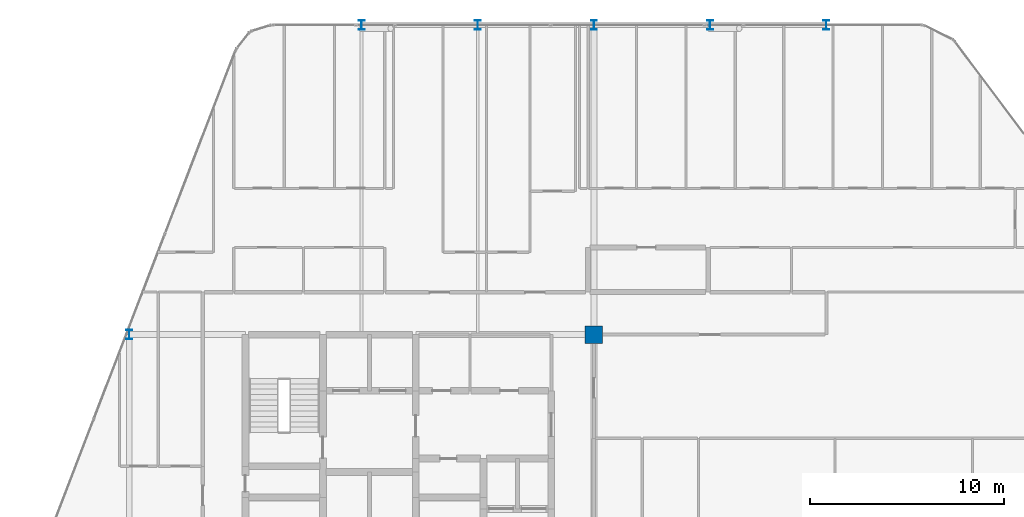
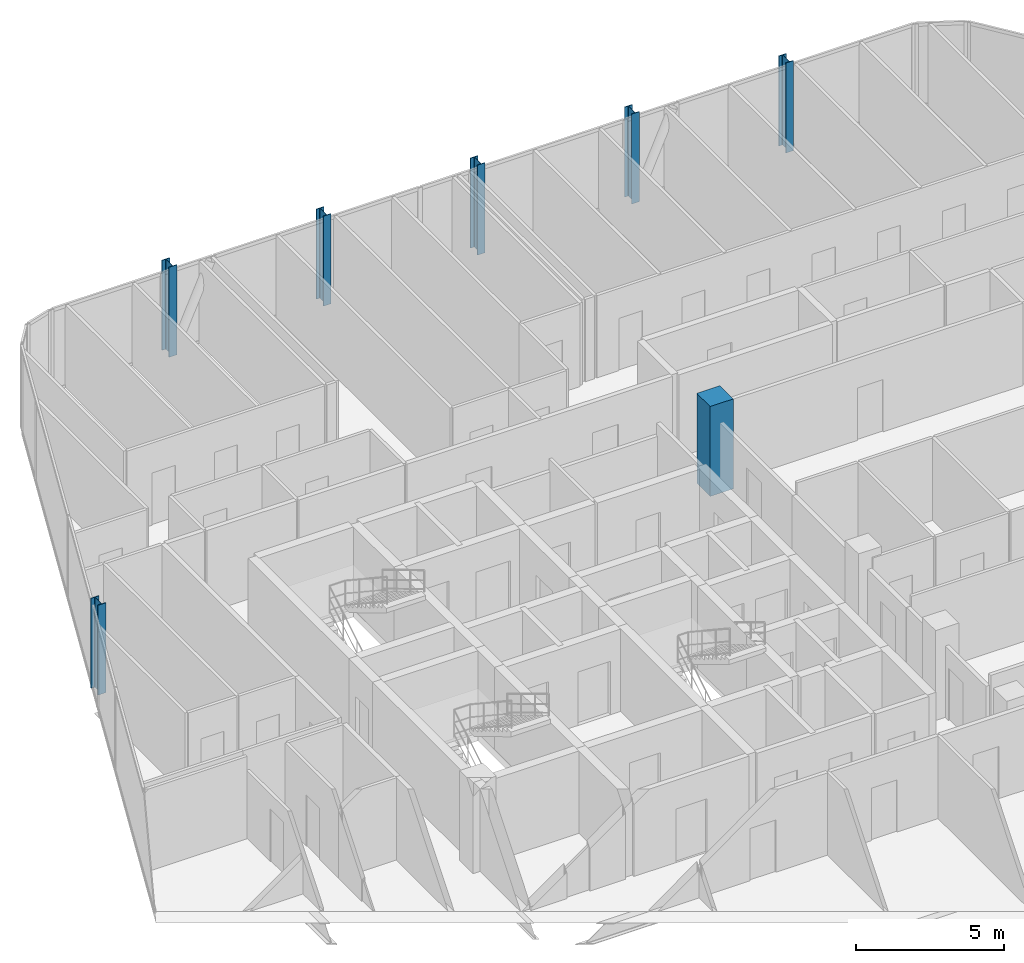
# One storey, part 3 of 31: 7 columns.
"""IFC4 building model written with IfcOpenShell, lengths in metres."""

from ifc_helpers import new_model, si_unit, direction, frame, origin, origin_2d, place, context, subcontext, project, spatial, rectangle, i_section, extrude, material, material_profile, profile_set, type_object, element, save


model = new_model("IFC4")

# Units and contexts
model_context = context("Model", 3, precision=1e-05, world=origin(), true_north=direction((0.0, 1.0)))
body_context = subcontext(model_context, "Body", "Model", "MODEL_VIEW")
ifc_project = project(units=[si_unit("LENGTHUNIT", "METRE"), si_unit("AREAUNIT", "SQUARE_METRE"), si_unit("VOLUMEUNIT", "CUBIC_METRE"), si_unit("PLANEANGLEUNIT", "RADIAN"), si_unit("MASSUNIT", "GRAM", prefix="KILO")], contexts=[model_context])

# Site, building, storey
site_placement = place(None, origin())
site = spatial("IfcSite", under=ifc_project, at=site_placement, CompositionType="ELEMENT")
building_placement = place(site_placement, origin())
building = spatial("IfcBuilding", under=site, at=building_placement, Name="Keshet Zoharim Tower", CompositionType="ELEMENT")
storey_placement = place(building_placement, frame((0.0, 0.0, 144.60009765625)))
storey = spatial("IfcBuildingStorey", under=building, at=storey_placement, Name="L35", CompositionType="ELEMENT", Elevation=144.60009765625)

# Columns
ifc_material_1 = material(Name="Steel S355", Category="steel")
ifc_material_profile_1 = material_profile(ifc_material_1, i_section(OverallWidth=0.300048828125, OverallDepth=0.5, WebThickness=0.014404296875, FlangeThickness=0.028076171875, FilletRadius=0.027099609375, at=origin_2d()), Name="HEB500")
ifc_profile_set_1 = profile_set([ifc_material_profile_1], Name="Steel S355")
column_type_1 = type_object("IfcColumnType", Name="COL-HEB500", PredefinedType="COLUMN", material=ifc_profile_set_1)
for number, where, z_axis, x_axis, name in (
    (1, (9.0, 37.89990234375, 0.0), (0.0, 0.0, 1.0), (1.0, 0.0, 0.0), "L35 Column 2H"),
    (2, (21.0, 53.89990234375, 0.0), (0.0, 0.0, 1.0), (1.0, 0.0, 0.0), "L35 Column 4L"),
    (3, (27.0, 53.89990234375, 0.0), (0.0, 0.0, 1.0), (1.0, 0.0, 0.0), "L35 Column 5L"),
    (4, (33.0, 53.89990234375, 0.0), (0.0, 0.0, 1.0), (1.0, 0.0, 0.0), "L35 Column 6L"),
    (5, (39.0, 53.89990234375, 0.0), (0.0, 0.0, 1.0), (1.0, 0.0, 0.0), "L35 Column 7L"),
    (6, (45.0, 53.89990234375, 0.0), (0.0, 0.0, 1.0), (1.0, 0.0, 0.0), "L35 Column 8L"),
):
    element("IfcColumn", number, at=place(storey_placement, frame(where, z_axis=z_axis, x_axis=x_axis)), inside=storey, type_object=column_type_1, Name=name, PredefinedType="COLUMN", context=body_context, shape_type="SweptSolid", body=[
        extrude(i_section(OverallWidth=0.300048828125, OverallDepth=0.5, WebThickness=0.014404296875, FlangeThickness=0.028076171875, FilletRadius=0.027099609375, at=origin_2d()), origin(), (0.0, 0.0, 1.0), 3.699951171875),
    ])
ifc_material_2 = material(Name="Concrete C60/75", Category="concrete")
ifc_material_profile_2 = material_profile(ifc_material_2, rectangle(XDim=0.89990234375, YDim=0.89990234375, at=origin_2d()), Name="RC900x900")
ifc_profile_set_2 = profile_set([ifc_material_profile_2], Name="Concrete C60/75")
column_type_2 = type_object("IfcColumnType", Name="COL-RC900", PredefinedType="COLUMN", material=ifc_profile_set_2)
column_placement = place(storey_placement, frame((33.0, 37.89990234375, 0.0), z_axis=(0.0, 0.0, 1.0), x_axis=(1.0, 0.0, 0.0)))
element("IfcColumn", 7, at=column_placement, inside=storey, type_object=column_type_2, Name="L35 Column 6H", PredefinedType="COLUMN", context=body_context, shape_type="SweptSolid", body=[
    extrude(rectangle(XDim=0.89990234375, YDim=0.89990234375, at=origin_2d()), origin(), (0.0, 0.0, 1.0), 3.699951171875),
])

save(model, "model.ifc")
